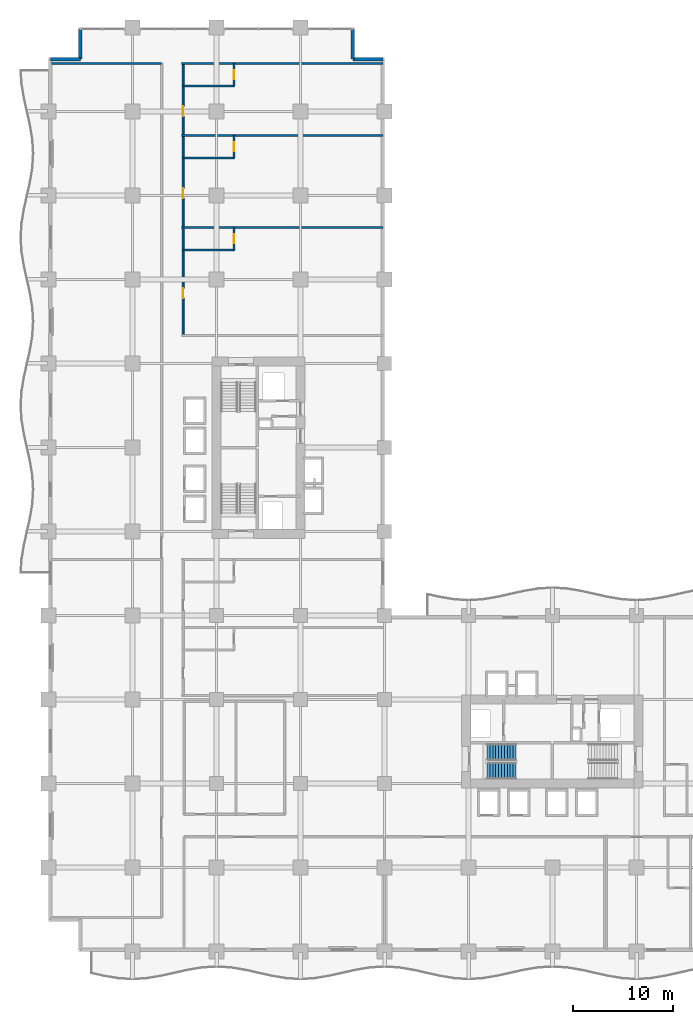
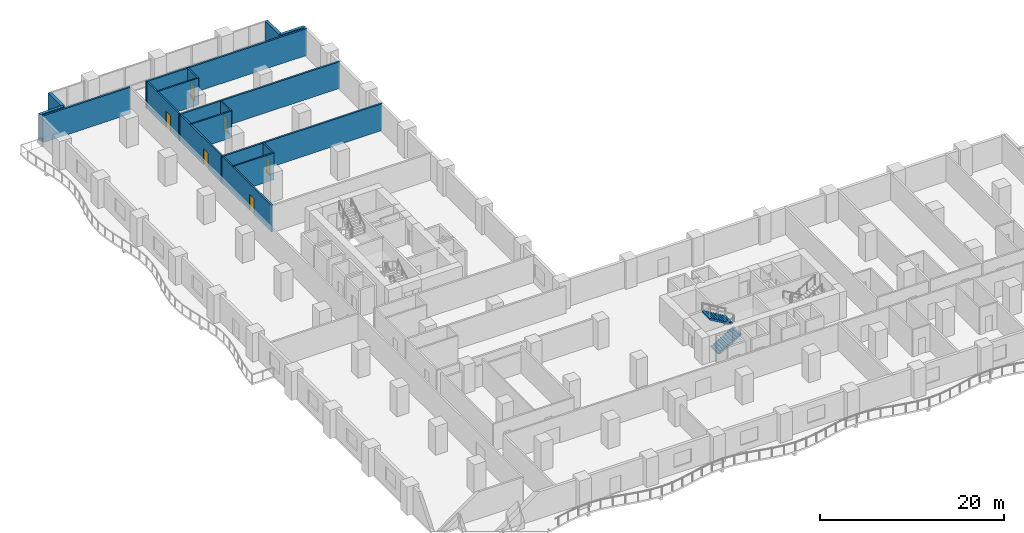
# One storey, part 14 of 21: 15 walls, 6 doors, 2 stair flights, 6 openings, 1 element without a shape of its own.
"""IFC4 building model written with IfcOpenShell, lengths in metres."""

from ifc_helpers import new_model, si_unit, direction, frame, frame_2d, origin, place, context, subcontext, project, spatial, polyline, rectangle, outline, extrude, material, layer, layer_set, type_object, element, fill, aggregate, save


model = new_model("IFC4")

# Units and contexts
model_context = context("Model", 3, precision=1e-05, world=origin(), true_north=direction((0.0, 1.0)))
body_context = subcontext(model_context, "Body", "Model", "MODEL_VIEW")
ifc_project = project(units=[si_unit("LENGTHUNIT", "METRE"), si_unit("AREAUNIT", "SQUARE_METRE"), si_unit("VOLUMEUNIT", "CUBIC_METRE"), si_unit("PLANEANGLEUNIT", "RADIAN"), si_unit("MASSUNIT", "GRAM", prefix="KILO")], contexts=[model_context])

# Site, building, storey
site_placement = place(None, origin())
site = spatial("IfcSite", under=ifc_project, at=site_placement, CompositionType="ELEMENT")
building_placement = place(site_placement, origin())
building = spatial("IfcBuilding", under=site, at=building_placement, Name="Koriwani Terraces Tower", CompositionType="ELEMENT")
storey_placement = place(building_placement, frame((0.0, 0.0, 77.60009765625)))
storey = spatial("IfcBuildingStorey", under=building, at=storey_placement, Name="L18", CompositionType="ELEMENT", Elevation=77.60009765625)

# Wall, openings, doors
ifc_material_1 = material(Name="Autoclaved Cellular Concrete Blockwork", Category="masonry")
ifc_layer_1 = layer(ifc_material_1, 0.199951171875, Name="Autoclaved Cellular Concrete Blockwork")
ifc_layer_set_1 = layer_set([ifc_layer_1], Name="Autoclaved Cellular Concrete Blockwork")
wall_type_1 = type_object("IfcWallType", Name="WALL_CORRIDOR_200", PredefinedType="PARTITIONING", material=ifc_layer_set_1)
wall_1_placement = place(storey_placement, frame((13.449951171875, 61.60009765625, 0.0), z_axis=(0.0, 0.0, 1.0), x_axis=(0.0, 1.0, 0.0)))
wall_1 = element("IfcWall", 1, at=wall_1_placement, inside=storey, type_object=wall_type_1, Name="L18 Interior Wall WCOR-L18-NE-0", PredefinedType="PARTITIONING", context=body_context, shape_type="SweptSolid", body=[
    extrude(rectangle(XDim=27.199951171875, YDim=0.199951171875, at=frame_2d((13.60009765625, 0.0))), origin(), (0.0, 0.0, 1.0), 3.5498046875),
])
opening_1_placement = place(wall_1_placement, frame((3.735107421875, 0.0, 0.0)))
opening_1 = element("IfcOpeningElement", 2, at=opening_1_placement, cuts=wall_1, Name="Opening D-05", PredefinedType="OPENING", context=body_context, shape_type="SweptSolid", body=[
    extrude(rectangle(XDim=1.0, YDim=2.14990234375, at=frame_2d((0.5, 1.074951171875))), frame((0.0, 0.10986328125, 0.0), z_axis=(0.0, -1.0, 0.0), x_axis=(1.0, 0.0, 0.0)), (0.0, 0.0, 1.0), 0.219970703125),
])
opening_2_placement = place(wall_1_placement, frame((13.735107421875, 0.0, 0.0)))
opening_2 = element("IfcOpeningElement", 3, at=opening_2_placement, cuts=wall_1, Name="Opening D-05", PredefinedType="OPENING", context=body_context, shape_type="SweptSolid", body=[
    extrude(rectangle(XDim=1.0, YDim=2.14990234375, at=frame_2d((0.5, 1.074951171875))), frame((0.0, 0.10986328125, 0.0), z_axis=(0.0, -1.0, 0.0), x_axis=(1.0, 0.0, 0.0)), (0.0, 0.0, 1.0), 0.219970703125),
])
opening_3_placement = place(wall_1_placement, frame((21.93505859375, 0.0, 0.0)))
opening_3 = element("IfcOpeningElement", 4, at=opening_3_placement, cuts=wall_1, Name="Opening D-05", PredefinedType="OPENING", context=body_context, shape_type="SweptSolid", body=[
    extrude(rectangle(XDim=1.0, YDim=2.14990234375, at=frame_2d((0.5, 1.074951171875))), frame((0.0, 0.10986328125, 0.0), z_axis=(0.0, -1.0, 0.0), x_axis=(1.0, 0.0, 0.0)), (0.0, 0.0, 1.0), 0.219970703125),
])
ifc_material_2 = material(Name="Architectural Oak Fire Door", Category="wood")
door_type_1 = type_object("IfcDoorType", Name="DOOR_SUITE_ENTRY_1000X2150", OperationType="NOTDEFINED", PredefinedType="DOOR", material=ifc_material_2)
door_1_placement = place(opening_1_placement, origin())
door_1 = element("IfcDoor", 5, at=door_1_placement, inside=storey, type_object=door_type_1, Name="Luxury Hotel Suite 18NE1 Entrance Door", OperationType="SINGLE_SWING_RIGHT", OverallHeight=2.14990234375, OverallWidth=1.0, PredefinedType="DOOR", context=body_context, shape_type="SweptSolid", body=[
    extrude(rectangle(XDim=1.0, YDim=2.14990234375, at=frame_2d((0.5, 1.074951171875))), frame((0.0, 0.02490234375, 0.0), z_axis=(0.0, -1.0, 0.0), x_axis=(1.0, 0.0, 0.0)), (0.0, 0.0, 1.0), 0.050048828125),
])
fill(opening_1, door_1)
door_2_placement = place(opening_2_placement, origin())
door_2 = element("IfcDoor", 6, at=door_2_placement, inside=storey, type_object=door_type_1, Name="Luxury Hotel Suite 18NE2 Entrance Door", OperationType="SINGLE_SWING_RIGHT", OverallHeight=2.14990234375, OverallWidth=1.0, PredefinedType="DOOR", context=body_context, shape_type="SweptSolid", body=[
    extrude(rectangle(XDim=1.0, YDim=2.14990234375, at=frame_2d((0.5, 1.074951171875))), frame((0.0, 0.02490234375, 0.0), z_axis=(0.0, -1.0, 0.0), x_axis=(1.0, 0.0, 0.0)), (0.0, 0.0, 1.0), 0.050048828125),
])
fill(opening_2, door_2)
door_3_placement = place(opening_3_placement, origin())
door_3 = element("IfcDoor", 7, at=door_3_placement, inside=storey, type_object=door_type_1, Name="Luxury Hotel Suite 18NE3 Entrance Door", OperationType="SINGLE_SWING_RIGHT", OverallHeight=2.14990234375, OverallWidth=1.0, PredefinedType="DOOR", context=body_context, shape_type="SweptSolid", body=[
    extrude(rectangle(XDim=1.0, YDim=2.14990234375, at=frame_2d((0.5, 1.074951171875))), frame((0.0, 0.02490234375, 0.0), z_axis=(0.0, -1.0, 0.0), x_axis=(1.0, 0.0, 0.0)), (0.0, 0.0, 1.0), 0.050048828125),
])
fill(opening_3, door_3)

# Walls
ifc_layer_2 = layer(ifc_material_1, 0.219970703125, Name="Autoclaved Cellular Concrete Blockwork")
ifc_layer_set_2 = layer_set([ifc_layer_2], Name="Autoclaved Cellular Concrete Blockwork")
wall_type_2 = type_object("IfcWallType", Name="WALL_DEMISING_220", PredefinedType="PARTITIONING", material=ifc_layer_set_2)
wall_2_placement = place(storey_placement, frame((0.300048828125, 88.800048828125, 0.0), z_axis=(0.0, 0.0, 1.0), x_axis=(1.0, 0.0, 0.0)))
element("IfcWall", 8, at=wall_2_placement, inside=storey, type_object=wall_type_2, Name="L18 Interior Wall WZ1NWCLN-L18", PredefinedType="PARTITIONING", context=body_context, shape_type="SweptSolid", body=[
    extrude(rectangle(XDim=11.0, YDim=0.219970703125, at=frame_2d((5.5, 0.0))), origin(), (0.0, 0.0, 1.0), 3.5498046875),
])
for number, where, z_axis, x_axis, name in (
    (9, (13.300048828125, 72.39990234375, 0.0), (0.0, 0.0, 1.0), (1.0, 0.0, 0.0), "L18 Interior Wall WDEM-L18-NE-1"),
    (10, (13.300048828125, 81.60009765625, 0.0), (0.0, 0.0, 1.0), (1.0, 0.0, 0.0), "L18 Interior Wall WDEM-L18-NE-2"),
    (11, (13.300048828125, 88.800048828125, 0.0), (0.0, 0.0, 1.0), (1.0, 0.0, 0.0), "L18 Interior Wall WDEME-L18-NE"),
):
    element("IfcWall", number, at=place(storey_placement, frame(where, z_axis=z_axis, x_axis=x_axis)), inside=storey, type_object=wall_type_2, Name=name, PredefinedType="PARTITIONING", context=body_context, shape_type="SweptSolid", body=[
        extrude(rectangle(XDim=20.1298828125, YDim=0.219970703125, at=frame_2d((10.06494140625, 0.0))), origin(), (0.0, 0.0, 1.0), 3.5498046875),
    ])
ifc_material_3 = material(Name="Concrete C50/60", Category="concrete")
ifc_layer_3 = layer(ifc_material_3, 0.35009765625, Name="Concrete C50/60")
ifc_layer_set_3 = layer_set([ifc_layer_3], Name="Concrete C50/60")
wall_type_3 = type_object("IfcWallType", Name="WALL_EXT_BRUTALIST_350", PredefinedType="STANDARD", material=ifc_layer_set_3)
for number, where, z_axis, x_axis, name in (
    (12, (0.175048828125, 89.22509765625, 0.0), (0.0, 0.0, 1.0), (1.0, 0.0, 0.0), "L18 Fair-Faced Brutalist Exterior Wall (N3)"),
    (13, (3.175048828125, 89.22509765625, 0.0), (0.0, 0.0, 1.0), (0.0, 1.0, 0.0), "L18 Fair-Faced Brutalist Exterior Wall (N4)"),
    (14, (30.425048828125, 92.22509765625, 0.0), (0.0, 0.0, 1.0), (0.0, -1.0, 0.0), "L18 Fair-Faced Brutalist Exterior Wall (N6)"),
    (15, (30.425048828125, 89.22509765625, 0.0), (0.0, 0.0, 1.0), (1.0, 0.0, 0.0), "L18 Fair-Faced Brutalist Exterior Wall (N7)"),
):
    element("IfcWall", number, at=place(storey_placement, frame(where, z_axis=z_axis, x_axis=x_axis)), inside=storey, type_object=wall_type_3, Name=name, PredefinedType="STANDARD", context=body_context, shape_type="SweptSolid", body=[
        extrude(rectangle(XDim=3.0, YDim=0.35009765625, at=frame_2d((1.5, 0.0))), origin(), (0.0, 0.0, 1.0), 3.5498046875),
    ])

# Wall, opening, door
ifc_material_4 = material(Name="Fire-Rated Acoustic Gypsum Partition", Category="masonry")
ifc_layer_4 = layer(ifc_material_4, 0.179931640625, Name="Fire-Rated Acoustic Gypsum Partition")
ifc_layer_set_4 = layer_set([ifc_layer_4], Name="Fire-Rated Acoustic Gypsum Partition")
wall_type_4 = type_object("IfcWallType", Name="WALL_PLUMBING_180", PredefinedType="PLUMBINGWALL", material=ifc_layer_set_4)
wall_3_placement = place(storey_placement, frame((18.550048828125, 70.14990234375, 0.0), z_axis=(0.0, 0.0, 1.0), x_axis=(0.0, 1.0, 0.0)))
wall_3 = element("IfcWall", 16, at=wall_3_placement, inside=storey, type_object=wall_type_4, Name="L18 Interior Wall WBTH1-L18-NE-0", PredefinedType="PLUMBINGWALL", context=body_context, shape_type="SweptSolid", body=[
    extrude(rectangle(XDim=2.25, YDim=0.179931640625, at=frame_2d((1.125, 0.0))), origin(), (0.0, 0.0, 1.0), 3.5498046875),
])
opening_4_placement = place(wall_3_placement, frame((0.675048828125, 0.0, 0.0)))
opening_4 = element("IfcOpeningElement", 17, at=opening_4_placement, cuts=wall_3, Name="Opening D-07", PredefinedType="OPENING", context=body_context, shape_type="SweptSolid", body=[
    extrude(rectangle(XDim=0.89990234375, YDim=2.10009765625, at=frame_2d((0.449951171875, 1.050048828125))), frame((0.0, 0.10009765625, 0.0), z_axis=(0.0, -1.0, 0.0), x_axis=(1.0, 0.0, 0.0)), (0.0, 0.0, 1.0), 0.199951171875),
])
door_type_2 = type_object("IfcDoorType", Name="DOOR_BATH_INT_900X2100", OperationType="NOTDEFINED", PredefinedType="DOOR", material=ifc_material_2)
door_4_placement = place(opening_4_placement, origin())
door_4 = element("IfcDoor", 18, at=door_4_placement, inside=storey, type_object=door_type_2, Name="En-Suite Bathroom 18NE1 Door", OperationType="SINGLE_SWING_LEFT", OverallHeight=2.10009765625, OverallWidth=0.89990234375, PredefinedType="DOOR", context=body_context, shape_type="SweptSolid", body=[
    extrude(rectangle(XDim=0.89990234375, YDim=2.10009765625, at=frame_2d((0.449951171875, 1.050048828125))), frame((0.0, 0.02490234375, 0.0), z_axis=(0.0, -1.0, 0.0), x_axis=(1.0, 0.0, 0.0)), (0.0, 0.0, 1.0), 0.050048828125),
])
fill(opening_4, door_4)

# Wall
wall_4_placement = place(storey_placement, frame((13.449951171875, 70.14990234375, 0.0), z_axis=(0.0, 0.0, 1.0), x_axis=(1.0, 0.0, 0.0)))
element("IfcWall", 19, at=wall_4_placement, inside=storey, type_object=wall_type_4, Name="L18 Interior Wall WBTH2-L18-NE-0", PredefinedType="PLUMBINGWALL", context=body_context, shape_type="SweptSolid", body=[
    extrude(rectangle(XDim=5.10009765625, YDim=0.179931640625, at=frame_2d((2.550048828125, 0.0))), origin(), (0.0, 0.0, 1.0), 3.5498046875),
])

# Wall, opening, door
wall_5_placement = place(storey_placement, frame((18.550048828125, 79.35009765625, 0.0), z_axis=(0.0, 0.0, 1.0), x_axis=(0.0, 1.0, 0.0)))
wall_5 = element("IfcWall", 20, at=wall_5_placement, inside=storey, type_object=wall_type_4, Name="L18 Interior Wall WBTH1-L18-NE-1", PredefinedType="PLUMBINGWALL", context=body_context, shape_type="SweptSolid", body=[
    extrude(rectangle(XDim=2.25, YDim=0.179931640625, at=frame_2d((1.125, 0.0))), origin(), (0.0, 0.0, 1.0), 3.5498046875),
])
opening_5_placement = place(wall_5_placement, frame((0.675048828125, 0.0, 0.0)))
opening_5 = element("IfcOpeningElement", 21, at=opening_5_placement, cuts=wall_5, Name="Opening D-07", PredefinedType="OPENING", context=body_context, shape_type="SweptSolid", body=[
    extrude(rectangle(XDim=0.89990234375, YDim=2.10009765625, at=frame_2d((0.449951171875, 1.050048828125))), frame((0.0, 0.10009765625, 0.0), z_axis=(0.0, -1.0, 0.0), x_axis=(1.0, 0.0, 0.0)), (0.0, 0.0, 1.0), 0.199951171875),
])
door_5_placement = place(opening_5_placement, origin())
door_5 = element("IfcDoor", 22, at=door_5_placement, inside=storey, type_object=door_type_2, Name="En-Suite Bathroom 18NE2 Door", OperationType="SINGLE_SWING_LEFT", OverallHeight=2.10009765625, OverallWidth=0.89990234375, PredefinedType="DOOR", context=body_context, shape_type="SweptSolid", body=[
    extrude(rectangle(XDim=0.89990234375, YDim=2.10009765625, at=frame_2d((0.449951171875, 1.050048828125))), frame((0.0, 0.02490234375, 0.0), z_axis=(0.0, -1.0, 0.0), x_axis=(1.0, 0.0, 0.0)), (0.0, 0.0, 1.0), 0.050048828125),
])
fill(opening_5, door_5)

# Wall
wall_6_placement = place(storey_placement, frame((13.449951171875, 79.35009765625, 0.0), z_axis=(0.0, 0.0, 1.0), x_axis=(1.0, 0.0, 0.0)))
element("IfcWall", 23, at=wall_6_placement, inside=storey, type_object=wall_type_4, Name="L18 Interior Wall WBTH2-L18-NE-1", PredefinedType="PLUMBINGWALL", context=body_context, shape_type="SweptSolid", body=[
    extrude(rectangle(XDim=5.10009765625, YDim=0.179931640625, at=frame_2d((2.550048828125, 0.0))), origin(), (0.0, 0.0, 1.0), 3.5498046875),
])

# Wall, opening, door
wall_7_placement = place(storey_placement, frame((18.550048828125, 86.550048828125, 0.0), z_axis=(0.0, 0.0, 1.0), x_axis=(0.0, 1.0, 0.0)))
wall_7 = element("IfcWall", 24, at=wall_7_placement, inside=storey, type_object=wall_type_4, Name="L18 Interior Wall WBTH1-L18-NE-2", PredefinedType="PLUMBINGWALL", context=body_context, shape_type="SweptSolid", body=[
    extrude(rectangle(XDim=2.25, YDim=0.179931640625, at=frame_2d((1.125, 0.0))), origin(), (0.0, 0.0, 1.0), 3.5498046875),
])
opening_6_placement = place(wall_7_placement, frame((0.675048828125, 0.0, 0.0)))
opening_6 = element("IfcOpeningElement", 25, at=opening_6_placement, cuts=wall_7, Name="Opening D-07", PredefinedType="OPENING", context=body_context, shape_type="SweptSolid", body=[
    extrude(rectangle(XDim=0.89990234375, YDim=2.10009765625, at=frame_2d((0.449951171875, 1.050048828125))), frame((0.0, 0.10009765625, 0.0), z_axis=(0.0, -1.0, 0.0), x_axis=(1.0, 0.0, 0.0)), (0.0, 0.0, 1.0), 0.199951171875),
])
door_6_placement = place(opening_6_placement, origin())
door_6 = element("IfcDoor", 26, at=door_6_placement, inside=storey, type_object=door_type_2, Name="En-Suite Bathroom 18NE3 Door", OperationType="SINGLE_SWING_LEFT", OverallHeight=2.10009765625, OverallWidth=0.89990234375, PredefinedType="DOOR", context=body_context, shape_type="SweptSolid", body=[
    extrude(rectangle(XDim=0.89990234375, YDim=2.10009765625, at=frame_2d((0.449951171875, 1.050048828125))), frame((0.0, 0.02490234375, 0.0), z_axis=(0.0, -1.0, 0.0), x_axis=(1.0, 0.0, 0.0)), (0.0, 0.0, 1.0), 0.050048828125),
])
fill(opening_6, door_6)

# Wall
wall_8_placement = place(storey_placement, frame((13.449951171875, 86.550048828125, 0.0), z_axis=(0.0, 0.0, 1.0), x_axis=(1.0, 0.0, 0.0)))
element("IfcWall", 27, at=wall_8_placement, inside=storey, type_object=wall_type_4, Name="L18 Interior Wall WBTH2-L18-NE-2", PredefinedType="PLUMBINGWALL", context=body_context, shape_type="SweptSolid", body=[
    extrude(rectangle(XDim=5.10009765625, YDim=0.179931640625, at=frame_2d((2.550048828125, 0.0))), origin(), (0.0, 0.0, 1.0), 3.5498046875),
])

# Stair, stair flights
ifc_material_5 = material(Name="Concrete C40/50", Category="concrete")
stair_type = type_object("IfcStairType", Name="STAIR_CORE_DOGLEG_1650", PredefinedType="TWO_STRAIGHT_RUN_STAIR", material=ifc_material_5)
stair_placement = place(storey_placement, origin())
stair = element("IfcStair", 28, at=stair_placement, inside=storey, type_object=stair_type, Name="L18 East Core Exit Stair 1", PredefinedType="HALF_TURN_STAIR")
stair_flight_type = type_object("IfcStairFlightType", Name="STAIR_FLIGHT_RC_1650", PredefinedType="STRAIGHT", material=ifc_material_5)
stair_flight_1_placement = place(storey_placement, frame((43.85009765625, 18.074951171875, 0.0), z_axis=(0.0, 0.0, 1.0), x_axis=(1.0, 0.0, 0.0)))
stair_flight_1 = element("IfcStairFlight", 29, at=stair_flight_1_placement, type_object=stair_flight_type, Name="ST-E1 flight 1", NumberOfRisers=11, NumberOfTreads=10, PredefinedType="STRAIGHT", RiserHeight=0.172727273, TreadLength=0.29, context=body_context, shape_type="SweptSolid", body=[
    extrude(outline(polyline([(0.0, 0.0), (0.0, 0.172607421875), (0.2900390625, 0.172607421875), (0.2900390625, 0.345458984375), (0.580078125, 0.345458984375), (0.580078125, 0.51806640625), (0.8701171875, 0.51806640625), (0.8701171875, 0.69091796875), (1.159912109375, 0.69091796875), (1.159912109375, 0.863525390625), (1.449951171875, 0.863525390625), (1.449951171875, 1.036376953125), (1.739990234375, 1.036376953125), (1.739990234375, 1.208984375), (2.030029296875, 1.208984375), (2.030029296875, 1.3818359375), (2.320068359375, 1.3818359375), (2.320068359375, 1.554443359375), (2.610107421875, 1.554443359375), (2.610107421875, 1.727294921875), (2.89990234375, 1.727294921875), (2.89990234375, 1.89990234375), (2.89990234375, 1.517822265625), (0.3515625, 0.0), (0.0, 0.0)])), frame((0.0, 0.824951171875, 0.0), z_axis=(0.0, -1.0, 0.0), x_axis=(1.0, 0.0, 0.0)), (0.0, 0.0, 1.0), 1.64990234375),
])
stair_flight_2_placement = place(storey_placement, frame((46.75, 19.925048828125, 1.89990234375), z_axis=(0.0, 0.0, 1.0), x_axis=(-1.0, 0.0, 0.0)))
stair_flight_2 = element("IfcStairFlight", 30, at=stair_flight_2_placement, type_object=stair_flight_type, Name="ST-E1 flight 2", NumberOfRisers=11, NumberOfTreads=10, PredefinedType="STRAIGHT", RiserHeight=0.172727273, TreadLength=0.29, context=body_context, shape_type="SweptSolid", body=[
    extrude(outline(polyline([(0.0, 0.0), (0.0, 0.172607421875), (0.2900390625, 0.172607421875), (0.2900390625, 0.345458984375), (0.580078125, 0.345458984375), (0.580078125, 0.51806640625), (0.8701171875, 0.51806640625), (0.8701171875, 0.69091796875), (1.159912109375, 0.69091796875), (1.159912109375, 0.863525390625), (1.449951171875, 0.863525390625), (1.449951171875, 1.036376953125), (1.739990234375, 1.036376953125), (1.739990234375, 1.208984375), (2.030029296875, 1.208984375), (2.030029296875, 1.3818359375), (2.320068359375, 1.3818359375), (2.320068359375, 1.554443359375), (2.610107421875, 1.554443359375), (2.610107421875, 1.727294921875), (2.89990234375, 1.727294921875), (2.89990234375, 1.89990234375), (2.89990234375, 1.517822265625), (0.3515625, 0.0), (0.0, 0.0)])), frame((0.0, 0.824951171875, 0.0), z_axis=(0.0, -1.0, 0.0), x_axis=(1.0, 0.0, 0.0)), (0.0, 0.0, 1.0), 1.64990234375),
])
aggregate(stair, [stair_flight_1, stair_flight_2])

save(model, "model.ifc")
